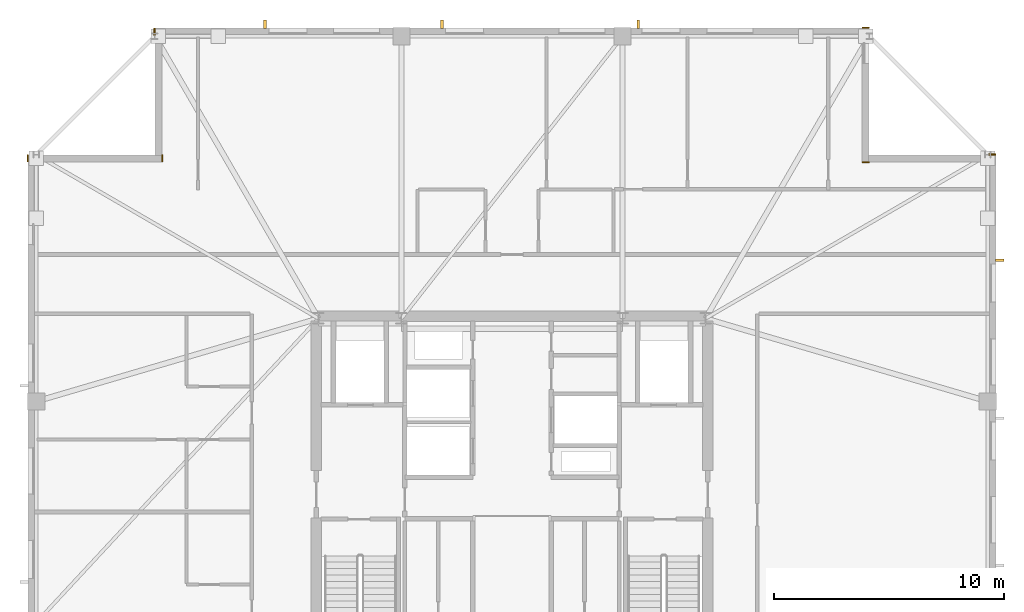
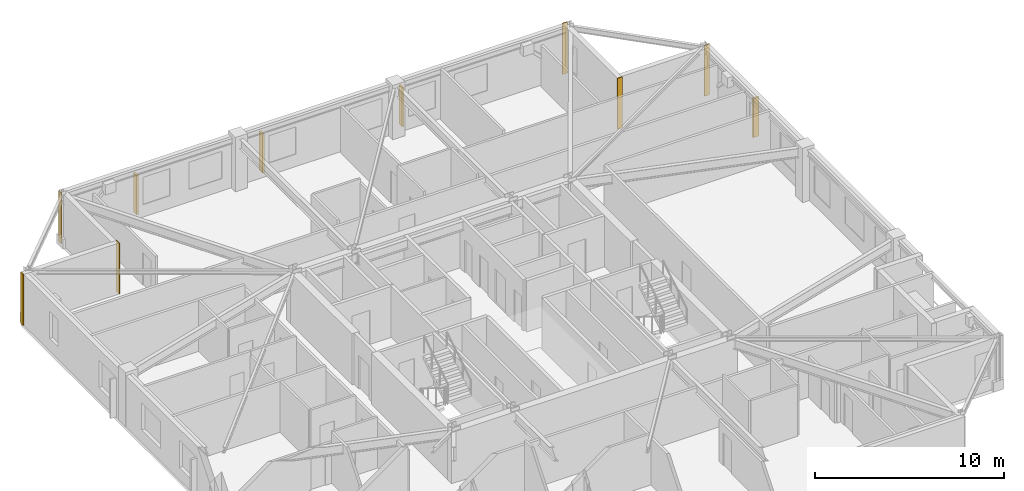
# One storey, part 15 of 15: 6 coverings, 4 shading devices.
"""IFC4 building model written with IfcOpenShell, lengths in metres."""

import ifcopenshell
import ifcopenshell.guid

model = None  # the IFC model being written
_history = None  # IfcOwnerHistory: only IFC2X3 demands one
_inside = {}  # id of a spatial element -> (the spatial element, [elements in it])
_under = {}  # id of a project, library or spatial element -> (it, [spatial elements below it])
_declared = {}  # id of a project -> (the project, [libraries it declares])
_typed = {}  # id of a type object -> (the type object, [elements of that type])
_made_of = {}  # id of a material, layer set ... -> (it, [elements and type objects made of it])


def new_model(schema):
    """Start an empty IFC model of exactly this schema.

    Asked for "IFC4X3", IfcOpenShell would pick the latest addendum, in which some entities
    have other attributes; the version numbers below select the first issue.
    IFC2X3 requires an IfcOwnerHistory on every rooted entity: one is made here for all.
    """
    global model, _history
    if schema == "IFC4X3":
        model = ifcopenshell.file(schema_version=(4, 3, 0, 0))
    else:
        model = ifcopenshell.file(schema=schema)
    _inside.clear()
    _under.clear()
    _declared.clear()
    _typed.clear()
    _made_of.clear()
    _history = None
    if model.schema == "IFC2X3":
        org = make("IfcOrganization", Name="unknown")
        user = make(
            "IfcPersonAndOrganization",
            ThePerson=make("IfcPerson", FamilyName="unknown"),
            TheOrganization=org,
        )
        app = make(
            "IfcApplication",
            ApplicationDeveloper=org,
            Version="unknown",
            ApplicationFullName="unknown",
            ApplicationIdentifier="unknown",
        )
        _history = make(
            "IfcOwnerHistory",
            OwningUser=user,
            OwningApplication=app,
            ChangeAction="ADDED",
            CreationDate=0,
        )
    return model


def make(cls, **values):
    """One entity of the class cls with the attributes given. An attribute that is None is left unset."""
    return model.create_entity(
        cls, **{name: value for name, value in values.items() if value is not None}
    )


def rooted(cls, **values):
    """An entity with a GlobalId (a new one), such as an element, a storey or a relation."""
    return make(cls, GlobalId=ifcopenshell.guid.new(), OwnerHistory=_history, **values)


def si_unit(unit_type, name, prefix=None):
    """IfcSIUnit, for example si_unit("LENGTHUNIT", "METRE", prefix="MILLI")."""
    return make("IfcSIUnit", UnitType=unit_type, Prefix=prefix, Name=name)


def assignment(units):
    """IfcUnitAssignment: the units of a project."""
    return None if units is None else make("IfcUnitAssignment", Units=units)


def point(xyz):
    """IfcCartesianPoint."""
    return None if xyz is None else make("IfcCartesianPoint", Coordinates=xyz)


def direction(xyz):
    """IfcDirection."""
    return None if xyz is None else make("IfcDirection", DirectionRatios=xyz)


def frame(location, z_axis=None, x_axis=None):
    """IfcAxis2Placement3D, a coordinate frame: its origin and axes. An axis left out is left unset."""
    return make(
        "IfcAxis2Placement3D",
        Location=point(location),
        Axis=direction(z_axis),
        RefDirection=direction(x_axis),
    )


def frame_2d(location, x_axis=None):
    """IfcAxis2Placement2D, a coordinate frame in the plane: its origin and x axis."""
    return make(
        "IfcAxis2Placement2D", Location=point(location), RefDirection=direction(x_axis)
    )


def origin():
    """The frame at (0, 0, 0) with its axes left unset."""
    return frame((0.0, 0.0, 0.0))


def origin_2d():
    """The frame at (0, 0) in the plane with its x axis left unset."""
    return frame_2d((0.0, 0.0))


def place(relative_to, where):
    """IfcLocalPlacement: puts the frame where relative to a parent placement (None: the world)."""
    return make(
        "IfcLocalPlacement", PlacementRelTo=relative_to, RelativePlacement=where
    )


def context(
    kind, dimensions, precision=None, world=None, true_north=None, identifier=None
):
    """IfcGeometricRepresentationContext, for example the 3D "Model" context."""
    return make(
        "IfcGeometricRepresentationContext",
        ContextIdentifier=identifier,
        ContextType=kind,
        CoordinateSpaceDimension=dimensions,
        Precision=precision,
        WorldCoordinateSystem=world,
        TrueNorth=true_north,
    )


def subcontext(parent, identifier, kind, view, scale=None):
    """IfcGeometricRepresentationSubContext, for example "Body" below "Model"."""
    return make(
        "IfcGeometricRepresentationSubContext",
        ContextIdentifier=identifier,
        ContextType=kind,
        ParentContext=parent,
        TargetScale=scale,
        TargetView=view,
    )


def project(units=None, contexts=None):
    """IfcProject with its units and contexts."""
    return rooted(
        "IfcProject",
        Name="project",
        RepresentationContexts=contexts,
        UnitsInContext=assignment(units),
    )


def spatial(cls, under=None, at=None, **own):
    """A site, building, storey or space (cls), placed at a placement, below another one or the project."""
    s = rooted(cls, ObjectPlacement=at, **own)
    if under is not None:
        _under.setdefault(under.id(), (under, []))[1].append(s)
    return s


def profile(cls, at=None, kind="AREA", **sizes):
    """A parametric profile (cls). Its sizes go by their IFC names, for example OverallWidth=200.0."""
    return make(cls, ProfileType=kind, Position=at, **sizes)


def rectangle(**sizes):
    """IfcRectangleProfileDef."""
    return profile("IfcRectangleProfileDef", **sizes)


def extrude(swept, where, along, depth):
    """IfcExtrudedAreaSolid: the profile swept, set in the frame where, extruded along a direction by depth."""
    return make(
        "IfcExtrudedAreaSolid",
        SweptArea=swept,
        Position=where,
        ExtrudedDirection=direction(along),
        Depth=depth,
    )


def shape(context_of_items, identifier, shape_type, items):
    """IfcShapeRepresentation: the items that make up one representation, for example the "Body"."""
    return make(
        "IfcShapeRepresentation",
        ContextOfItems=context_of_items,
        RepresentationIdentifier=identifier,
        RepresentationType=shape_type,
        Items=items,
    )


def material(Name=None, Category=None):
    """IfcMaterial."""
    return make("IfcMaterial", Name=Name, Category=Category)


def layer(
    of_material, thickness, ventilated=None, Name=None, Category=None, Priority=None
):
    """IfcMaterialLayer: one layer of a wall or slab, of a material (None: an air gap)."""
    return make(
        "IfcMaterialLayer",
        Material=of_material,
        LayerThickness=thickness,
        IsVentilated=ventilated,
        Name=Name,
        Category=Category,
        Priority=Priority,
    )


def layer_set(layers, Name=None):
    """IfcMaterialLayerSet."""
    return make("IfcMaterialLayerSet", MaterialLayers=layers, LayerSetName=Name)


def made_of(thing, what):
    """Note that an element or type object is made of a material, layer set ...; save() writes the relation."""
    if what is not None:
        _made_of.setdefault(what.id(), (what, []))[1].append(thing)
    return thing


def type_object(cls, material=None, **own):
    """A type object (cls), such as IfcWallType, which elements share."""
    return made_of(rooted(cls, **own), material)


def element(
    cls,
    number,
    at=None,
    inside=None,
    cuts=None,
    type_object=None,
    material=None,
    context=None,
    identifier="Body",
    shape_type=None,
    held_by="IfcProductDefinitionShape",
    body=None,
    shapes=None,
    **own,
):
    """One element of the class cls, such as IfcWall. Its Tag is "e" and its number.

    at: its placement. inside: the storey or other place that contains it. cuts: it is an
    opening in that element (IfcRelVoidsElement). A single representation is given by context,
    identifier, shape_type and body (its items); several are given by shapes. held_by: the class
    of the entity that holds the representations. save() writes the other relations.
    """
    e = rooted(cls, Tag="e%d" % number, ObjectPlacement=at, **own)
    if body is not None:
        shapes = [shape(context, identifier, shape_type, body)]
    if shapes is not None:
        e.Representation = make(held_by, Representations=shapes)
    if inside is not None:
        _inside.setdefault(inside.id(), (inside, []))[1].append(e)
    if cuts is not None:
        rooted(
            "IfcRelVoidsElement", RelatingBuildingElement=cuts, RelatedOpeningElement=e
        )
    if type_object is not None:
        _typed.setdefault(type_object.id(), (type_object, []))[1].append(e)
    return made_of(e, material)


def aggregate(whole, parts):
    """IfcRelAggregates: a whole, such as a stair, and the parts it consists of."""
    return rooted("IfcRelAggregates", RelatingObject=whole, RelatedObjects=parts)


def save(model, path):
    """Write the relations noted so far, then the file.

    IfcRelAggregates (storeys below a building ...), IfcRelContainedInSpatialStructure (elements
    in a storey), IfcRelDefinesByType, IfcRelAssociatesMaterial and IfcRelDeclares: one each for
    every whole, place, type object, material and project.
    """
    for whole, parts in _under.values():
        aggregate(whole, parts)
    for where, things in _inside.values():
        rooted(
            "IfcRelContainedInSpatialStructure",
            RelatedElements=things,
            RelatingStructure=where,
        )
    for kind, things in _typed.values():
        rooted("IfcRelDefinesByType", RelatedObjects=things, RelatingType=kind)
    for what, things in _made_of.values():
        rooted("IfcRelAssociatesMaterial", RelatedObjects=things, RelatingMaterial=what)
    for by, libraries in _declared.values():
        rooted("IfcRelDeclares", RelatingContext=by, RelatedDefinitions=libraries)
    model.write(path)


model = new_model("IFC4")

# Units and contexts
model_context = context("Model", 3, precision=1e-05, world=origin(), true_north=direction((0.0, 1.0)))
body_context = subcontext(model_context, "Body", "Model", "MODEL_VIEW")
ifc_project = project(units=[si_unit("LENGTHUNIT", "METRE"), si_unit("AREAUNIT", "SQUARE_METRE"), si_unit("VOLUMEUNIT", "CUBIC_METRE"), si_unit("PLANEANGLEUNIT", "RADIAN"), si_unit("MASSUNIT", "GRAM", prefix="KILO")], contexts=[model_context])

# Site, building, storey
site_placement = place(None, origin())
site = spatial("IfcSite", under=ifc_project, at=site_placement, CompositionType="ELEMENT")
building_placement = place(site_placement, origin())
building = spatial("IfcBuilding", under=site, at=building_placement, Name="Cairnveth Concourse Tower", CompositionType="ELEMENT")
storey_placement = place(building_placement, frame((0.0, 0.0, 291.0)))
storey = spatial("IfcBuildingStorey", under=building, at=storey_placement, Name="L80", CompositionType="ELEMENT", Elevation=291.0)

# Coverings
ifc_material_1 = material(Name="Dressed Melbourne Bluestone Cladding", Category="masonry")
ifc_layer = layer(ifc_material_1, 0.050048828125)
ifc_layer_set = layer_set([ifc_layer], Name="Dressed Melbourne Bluestone Cladding")
covering_type = type_object("IfcCoveringType", Name="DRESSED BLUESTONE PLINTH CLADDING 50", PredefinedType="CLADDING", material=ifc_layer_set)
for number, where, z_axis, x_axis, name in (
    (1, (30.97998046875, 54.199951171875, 0.0), (0.0, 0.0, 1.0), (0.0, 1.0, 0.0), "Melbourne Bluestone Corner Quoin L80-1218"),
    (2, (36.820068359375, 54.199951171875, 0.0), (0.0, 0.0, 1.0), (0.0, 1.0, 0.0), "Melbourne Bluestone Corner Quoin L80-1219"),
    (3, (36.47998046875, 59.699951171875, 0.0), (0.0, 0.0, 1.0), (0.0, 1.0, 0.0), "Melbourne Bluestone Corner Quoin L80-1220"),
    (4, (67.199951171875, 60.02001953125, 0.0), (0.0, 0.0, 1.0), (1.0, 0.0, 0.0), "Melbourne Bluestone Corner Quoin L80-1221"),
    (5, (67.199951171875, 54.179931640625, 0.0), (0.0, 0.0, 1.0), (1.0, 0.0, 0.0), "Melbourne Bluestone Corner Quoin L80-1222"),
    (6, (72.699951171875, 54.52001953125, 0.0), (0.0, 0.0, 1.0), (1.0, 0.0, 0.0), "Melbourne Bluestone Corner Quoin L80-1223"),
):
    element("IfcCovering", number, at=place(storey_placement, frame(where, z_axis=z_axis, x_axis=x_axis)), inside=storey, type_object=covering_type, Name=name, PredefinedType="CLADDING", context=body_context, shape_type="SweptSolid", body=[
        extrude(rectangle(XDim=0.300048828125, YDim=0.050048828125, at=frame_2d((0.14990234375, 0.0))), origin(), (0.0, 0.0, 1.0), 3.2900390625),
    ])

# Shading devices
ifc_material_2 = material(Name="Architectural Bronze Anodised Aluminium 6063-T6", Category="aluminium")
shading_device_type = type_object("IfcShadingDeviceType", Name="GOTHIC BRONZE VERTICAL LANCET FIN", PredefinedType="USERDEFINED", material=ifc_material_2)
for number, where, z_axis, x_axis, name in (
    (7, (41.283447265625, 60.175048828125, 0.030029296875), (0.0, 0.0, 1.0), (1.0, 0.0, 0.0), "Gothic Bronze Vertical Fin L80-9-1"),
    (8, (48.95751953125, 60.175048828125, 0.030029296875), (0.0, 0.0, 1.0), (1.0, 0.0, 0.0), "Gothic Bronze Vertical Fin L80-9-3"),
    (9, (57.4814453125, 60.175048828125, 0.030029296875), (0.0, 0.0, 1.0), (1.0, 0.0, 0.0), "Gothic Bronze Vertical Fin L80-9-5"),
    (10, (73.175048828125, 49.9228515625, 0.030029296875), (0.0, 0.0, 1.0), (0.0, 1.0, 0.0), "Gothic Bronze Vertical Fin L80-12-1"),
):
    element("IfcShadingDevice", number, at=place(storey_placement, frame(where, z_axis=z_axis, x_axis=x_axis)), inside=storey, type_object=shading_device_type, Name=name, ObjectType="VERTICAL FIN", PredefinedType="USERDEFINED", context=body_context, shape_type="SweptSolid", body=[
        extrude(rectangle(XDim=0.1201171875, YDim=0.360107421875, at=origin_2d()), origin(), (0.0, 0.0, 1.0), 2.51806640625),
    ])

save(model, "model.ifc")
